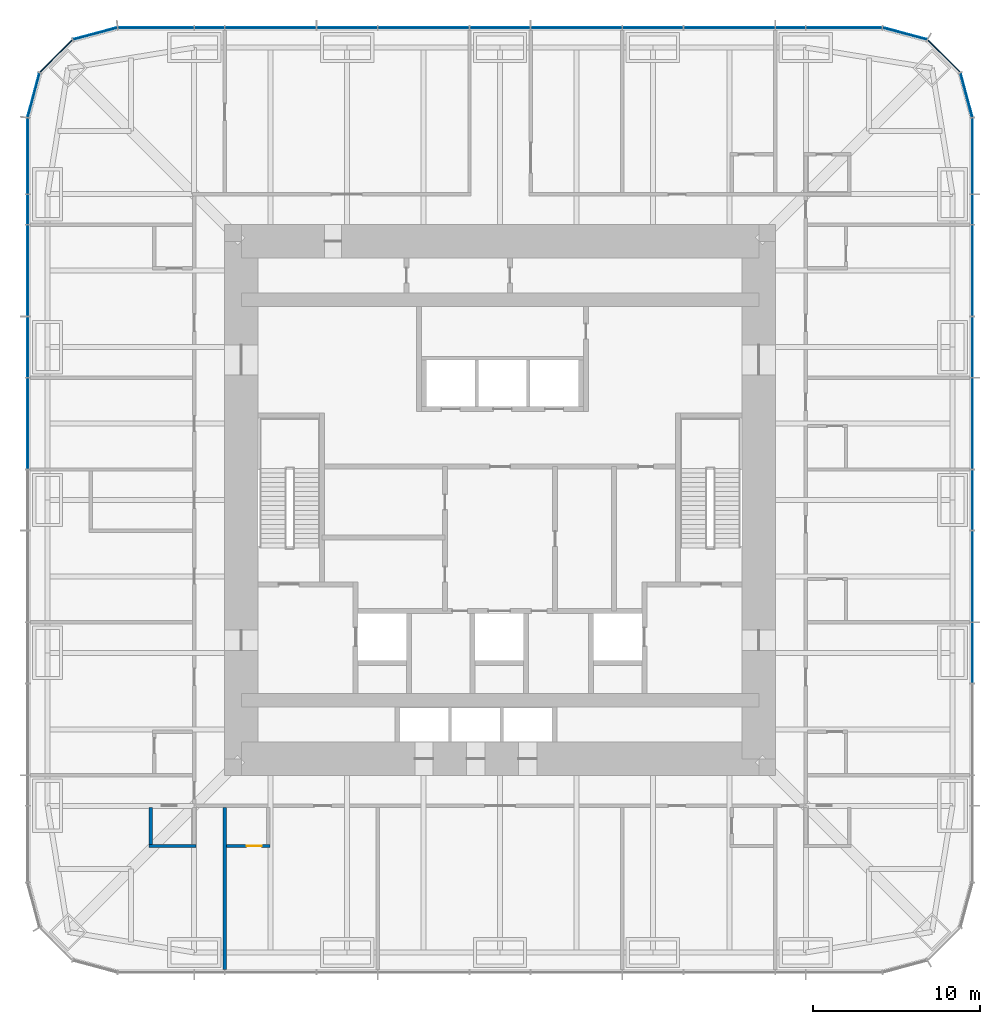
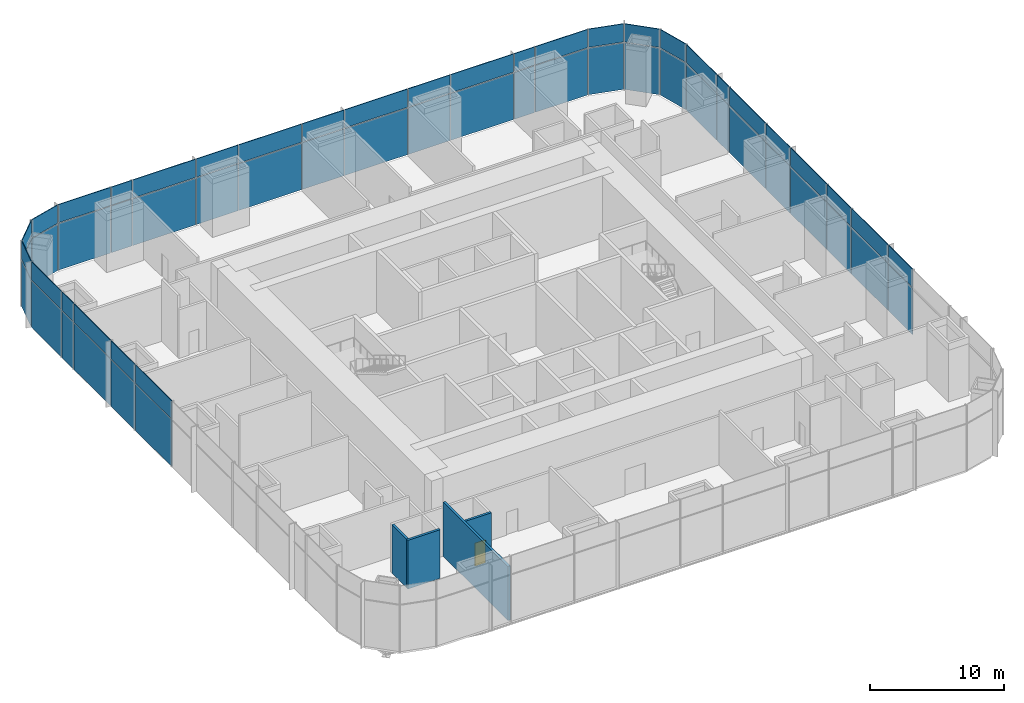
# One storey, part 7 of 12: 60 plates, 4 walls, 1 door, 1 opening, 5 elements without a shape of their own.
"""IFC4 building model written with IfcOpenShell, lengths in metres."""

from ifc_helpers import new_model, si_unit, direction, frame, frame_2d, origin, origin_2d, place, context, subcontext, project, spatial, rectangle, extrude, material, layer, layer_set, type_object, element, fill, aggregate, save


model = new_model("IFC4")

# Units and contexts
model_context = context("Model", 3, precision=1e-05, world=origin(), true_north=direction((0.0, 1.0)))
body_context = subcontext(model_context, "Body", "Model", "MODEL_VIEW")
ifc_project = project(units=[si_unit("LENGTHUNIT", "METRE"), si_unit("AREAUNIT", "SQUARE_METRE"), si_unit("VOLUMEUNIT", "CUBIC_METRE"), si_unit("PLANEANGLEUNIT", "RADIAN"), si_unit("MASSUNIT", "GRAM", prefix="KILO")], contexts=[model_context])

# Site, building, storey
site_placement = place(None, origin())
site = spatial("IfcSite", under=ifc_project, at=site_placement, CompositionType="ELEMENT")
building_placement = place(site_placement, origin())
building = spatial("IfcBuilding", under=site, at=building_placement, Name="Khuree Lantern Residences", CompositionType="ELEMENT")
storey_placement = place(building_placement, frame((0.0, 0.0, 186.0)))
storey = spatial("IfcBuildingStorey", under=building, at=storey_placement, Name="L47", CompositionType="ELEMENT", Elevation=186.0)

# Curtain wall, plates
ifc_material_1 = material(Name="Bronze anodised aluminium", Category="aluminium")
curtain_wall_type = type_object("IfcCurtainWallType", Name="CW-S SKY STOREY FULL-HEIGHT CURTAIN WALL", PredefinedType="USERDEFINED", material=ifc_material_1)
curtain_wall_1_placement = place(storey_placement, origin())
curtain_wall_1 = element("IfcCurtainWall", 1, at=curtain_wall_1_placement, inside=storey, type_object=curtain_wall_type, Name="L47 EAST FACE CURTAIN WALL", ObjectType="Full-height curtain wall", PredefinedType="USERDEFINED")
ifc_material_2 = material(Name="Bronze tinted laminated triple glazing", Category="glass")
ifc_layer_1 = layer(ifc_material_2, 0.055908203125)
ifc_layer_set_1 = layer_set([ifc_layer_1], Name="SKY VISION PANEL P7")
plate_type_1 = type_object("IfcPlateType", Name="SKY VISION PANEL P7", PredefinedType="CURTAIN_PANEL", material=ifc_layer_set_1)
plate_1_placement = place(storey_placement, frame((28.300048828125, -9.159912109375, 0.0), z_axis=(0.0, 0.0, 1.0), x_axis=(0.0, 1.0, 0.0)))
plate_1 = element("IfcPlate", 2, at=plate_1_placement, type_object=plate_type_1, Name="L47 EAST FACE PANEL 7.1", PredefinedType="CURTAIN_PANEL", context=body_context, shape_type="SweptSolid", body=[
    extrude(rectangle(XDim=3.589111328125, YDim=0.055908203125, at=origin_2d()), origin(), (0.0, 0.0, 1.0), 4.262451171875),
])
plate_2_placement = place(storey_placement, frame((28.300048828125, -4.580078125, 0.0), z_axis=(0.0, 0.0, 1.0), x_axis=(0.0, 1.0, 0.0)))
plate_2 = element("IfcPlate", 3, at=plate_2_placement, type_object=plate_type_1, Name="L47 EAST FACE PANEL 8.1", PredefinedType="CURTAIN_PANEL", context=body_context, shape_type="SweptSolid", body=[
    extrude(rectangle(XDim=5.4208984375, YDim=0.055908203125, at=origin_2d()), origin(), (0.0, 0.0, 1.0), 4.262451171875),
])
plate_3_placement = place(storey_placement, frame((28.300048828125, 0.0, 0.0), z_axis=(0.0, 0.0, 1.0), x_axis=(0.0, 1.0, 0.0)))
plate_3 = element("IfcPlate", 4, at=plate_3_placement, type_object=plate_type_1, Name="L47 EAST FACE PANEL 9.1", PredefinedType="CURTAIN_PANEL", context=body_context, shape_type="SweptSolid", body=[
    extrude(rectangle(XDim=3.589111328125, YDim=0.055908203125, at=origin_2d()), origin(), (0.0, 0.0, 1.0), 4.262451171875),
])
plate_4_placement = place(storey_placement, frame((28.300048828125, 4.580078125, 0.0), z_axis=(0.0, 0.0, 1.0), x_axis=(0.0, 1.0, 0.0)))
plate_4 = element("IfcPlate", 5, at=plate_4_placement, type_object=plate_type_1, Name="L47 EAST FACE PANEL 10.1", PredefinedType="CURTAIN_PANEL", context=body_context, shape_type="SweptSolid", body=[
    extrude(rectangle(XDim=5.4208984375, YDim=0.055908203125, at=origin_2d()), origin(), (0.0, 0.0, 1.0), 4.262451171875),
])
plate_5_placement = place(storey_placement, frame((28.300048828125, 9.159912109375, 0.0), z_axis=(0.0, 0.0, 1.0), x_axis=(0.0, 1.0, 0.0)))
plate_5 = element("IfcPlate", 6, at=plate_5_placement, type_object=plate_type_1, Name="L47 EAST FACE PANEL 11.1", PredefinedType="CURTAIN_PANEL", context=body_context, shape_type="SweptSolid", body=[
    extrude(rectangle(XDim=3.589111328125, YDim=0.055908203125, at=origin_2d()), origin(), (0.0, 0.0, 1.0), 4.262451171875),
])
plate_6_placement = place(storey_placement, frame((28.300048828125, 13.739990234375, 0.0), z_axis=(0.0, 0.0, 1.0), x_axis=(0.0, 1.0, 0.0)))
plate_6 = element("IfcPlate", 7, at=plate_6_placement, type_object=plate_type_1, Name="L47 EAST FACE PANEL 12.1", PredefinedType="CURTAIN_PANEL", context=body_context, shape_type="SweptSolid", body=[
    extrude(rectangle(XDim=5.4208984375, YDim=0.055908203125, at=origin_2d()), origin(), (0.0, 0.0, 1.0), 4.262451171875),
])
plate_7_placement = place(storey_placement, frame((28.300048828125, 17.404052734375, 0.0), z_axis=(0.0, 0.0, 1.0), x_axis=(0.0, 1.0, 0.0)))
plate_7 = element("IfcPlate", 8, at=plate_7_placement, type_object=plate_type_1, Name="L47 EAST FACE PANEL 13.1", PredefinedType="CURTAIN_PANEL", context=body_context, shape_type="SweptSolid", body=[
    extrude(rectangle(XDim=1.757080078125, YDim=0.055908203125, at=origin_2d()), origin(), (0.0, 0.0, 1.0), 4.262451171875),
])
plate_8_placement = place(storey_placement, frame((28.300048828125, 20.60791015625, 0.0), z_axis=(0.0, 0.0, 1.0), x_axis=(0.0, 1.0, 0.0)))
plate_8 = element("IfcPlate", 9, at=plate_8_placement, type_object=plate_type_1, Name="L47 EAST FACE PANEL 14.1", PredefinedType="CURTAIN_PANEL", context=body_context, shape_type="SweptSolid", body=[
    extrude(rectangle(XDim=4.5009765625, YDim=0.055908203125, at=origin_2d()), origin(), (0.0, 0.0, 1.0), 4.262451171875),
])

curtain_wall_2_placement = place(storey_placement, origin())
curtain_wall_2 = element("IfcCurtainWall", 10, at=curtain_wall_2_placement, inside=storey, type_object=curtain_wall_type, Name="L47 NORTH-EAST CORNER CURTAIN WALL", ObjectType="Full-height curtain wall", PredefinedType="USERDEFINED")
plate_9_placement = place(storey_placement, frame((27.93896484375, 24.24755859375, 0.0), z_axis=(0.0, 0.0, 1.0), x_axis=(-0.258819105321, 0.965925810153, 0.0)))
plate_9 = element("IfcPlate", 11, at=plate_9_placement, type_object=plate_type_1, Name="L47 NORTH-EAST CORNER PANEL 15.1", PredefinedType="CURTAIN_PANEL", context=body_context, shape_type="SweptSolid", body=[
    extrude(rectangle(XDim=2.70751953125, YDim=0.055908203125, at=origin_2d()), origin(), (0.0, 0.0, 1.0), 4.262451171875),
])
plate_10_placement = place(storey_placement, frame((26.58837890625, 26.58837890625, 0.0), z_axis=(0.0, 0.0, 1.0), x_axis=(-0.707106781187, 0.707106781187, 0.0)))
plate_10 = element("IfcPlate", 12, at=plate_10_placement, type_object=plate_type_1, Name="L47 NORTH-EAST CORNER PANEL 16.1", PredefinedType="CURTAIN_PANEL", context=body_context, shape_type="SweptSolid", body=[
    extrude(rectangle(XDim=2.70263671875, YDim=0.055908203125, at=origin_2d()), origin(), (0.0, 0.0, 1.0), 4.262451171875),
])
plate_11_placement = place(storey_placement, frame((24.24755859375, 27.93896484375, 0.0), z_axis=(0.0, 0.0, 1.0), x_axis=(-0.965925810153, 0.258819105321, 0.0)))
plate_11 = element("IfcPlate", 13, at=plate_11_placement, type_object=plate_type_1, Name="L47 NORTH-EAST CORNER PANEL 17.1", PredefinedType="CURTAIN_PANEL", context=body_context, shape_type="SweptSolid", body=[
    extrude(rectangle(XDim=2.70751953125, YDim=0.055908203125, at=origin_2d()), origin(), (0.0, 0.0, 1.0), 4.262451171875),
])

curtain_wall_3_placement = place(storey_placement, origin())
curtain_wall_3 = element("IfcCurtainWall", 14, at=curtain_wall_3_placement, inside=storey, type_object=curtain_wall_type, Name="L47 NORTH FACE CURTAIN WALL", ObjectType="Full-height curtain wall", PredefinedType="USERDEFINED")
plate_12_placement = place(storey_placement, frame((20.60791015625, 28.300048828125, 0.0), z_axis=(0.0, 0.0, 1.0), x_axis=(-1.0, 0.0, 0.0)))
plate_12 = element("IfcPlate", 15, at=plate_12_placement, type_object=plate_type_1, Name="L47 NORTH FACE PANEL 18.1", PredefinedType="CURTAIN_PANEL", context=body_context, shape_type="SweptSolid", body=[
    extrude(rectangle(XDim=4.5009765625, YDim=0.055908203125, at=origin_2d()), origin(), (0.0, 0.0, 1.0), 4.262451171875),
])
plate_13_placement = place(storey_placement, frame((17.404052734375, 28.300048828125, 0.0), z_axis=(0.0, 0.0, 1.0), x_axis=(-1.0, 0.0, 0.0)))
plate_13 = element("IfcPlate", 16, at=plate_13_placement, type_object=plate_type_1, Name="L47 NORTH FACE PANEL 19.1", PredefinedType="CURTAIN_PANEL", context=body_context, shape_type="SweptSolid", body=[
    extrude(rectangle(XDim=1.757080078125, YDim=0.055908203125, at=origin_2d()), origin(), (0.0, 0.0, 1.0), 4.262451171875),
])
plate_14_placement = place(storey_placement, frame((13.739990234375, 28.300048828125, 0.0), z_axis=(0.0, 0.0, 1.0), x_axis=(-1.0, 0.0, 0.0)))
plate_14 = element("IfcPlate", 17, at=plate_14_placement, type_object=plate_type_1, Name="L47 NORTH FACE PANEL 20.1", PredefinedType="CURTAIN_PANEL", context=body_context, shape_type="SweptSolid", body=[
    extrude(rectangle(XDim=5.4208984375, YDim=0.055908203125, at=origin_2d()), origin(), (0.0, 0.0, 1.0), 4.262451171875),
])
plate_15_placement = place(storey_placement, frame((9.159912109375, 28.300048828125, 0.0), z_axis=(0.0, 0.0, 1.0), x_axis=(-1.0, 0.0, 0.0)))
plate_15 = element("IfcPlate", 18, at=plate_15_placement, type_object=plate_type_1, Name="L47 NORTH FACE PANEL 21.1", PredefinedType="CURTAIN_PANEL", context=body_context, shape_type="SweptSolid", body=[
    extrude(rectangle(XDim=3.589111328125, YDim=0.055908203125, at=origin_2d()), origin(), (0.0, 0.0, 1.0), 4.262451171875),
])
plate_16_placement = place(storey_placement, frame((4.580078125, 28.300048828125, 0.0), z_axis=(0.0, 0.0, 1.0), x_axis=(-1.0, 0.0, 0.0)))
plate_16 = element("IfcPlate", 19, at=plate_16_placement, type_object=plate_type_1, Name="L47 NORTH FACE PANEL 22.1", PredefinedType="CURTAIN_PANEL", context=body_context, shape_type="SweptSolid", body=[
    extrude(rectangle(XDim=5.4208984375, YDim=0.055908203125, at=origin_2d()), origin(), (0.0, 0.0, 1.0), 4.262451171875),
])
plate_17_placement = place(storey_placement, frame((0.0, 28.300048828125, 0.0), z_axis=(0.0, 0.0, 1.0), x_axis=(-1.0, 0.0, 0.0)))
plate_17 = element("IfcPlate", 20, at=plate_17_placement, type_object=plate_type_1, Name="L47 NORTH FACE PANEL 23.1", PredefinedType="CURTAIN_PANEL", context=body_context, shape_type="SweptSolid", body=[
    extrude(rectangle(XDim=3.589111328125, YDim=0.055908203125, at=origin_2d()), origin(), (0.0, 0.0, 1.0), 4.262451171875),
])
plate_18_placement = place(storey_placement, frame((-4.580078125, 28.300048828125, 0.0), z_axis=(0.0, 0.0, 1.0), x_axis=(-1.0, 0.0, 0.0)))
plate_18 = element("IfcPlate", 21, at=plate_18_placement, type_object=plate_type_1, Name="L47 NORTH FACE PANEL 24.1", PredefinedType="CURTAIN_PANEL", context=body_context, shape_type="SweptSolid", body=[
    extrude(rectangle(XDim=5.4208984375, YDim=0.055908203125, at=origin_2d()), origin(), (0.0, 0.0, 1.0), 4.262451171875),
])
plate_19_placement = place(storey_placement, frame((-9.159912109375, 28.300048828125, 0.0), z_axis=(0.0, 0.0, 1.0), x_axis=(-1.0, 0.0, 0.0)))
plate_19 = element("IfcPlate", 22, at=plate_19_placement, type_object=plate_type_1, Name="L47 NORTH FACE PANEL 25.1", PredefinedType="CURTAIN_PANEL", context=body_context, shape_type="SweptSolid", body=[
    extrude(rectangle(XDim=3.589111328125, YDim=0.055908203125, at=origin_2d()), origin(), (0.0, 0.0, 1.0), 4.262451171875),
])
plate_20_placement = place(storey_placement, frame((-13.739990234375, 28.300048828125, 0.0), z_axis=(0.0, 0.0, 1.0), x_axis=(-1.0, 0.0, 0.0)))
plate_20 = element("IfcPlate", 23, at=plate_20_placement, type_object=plate_type_1, Name="L47 NORTH FACE PANEL 26.1", PredefinedType="CURTAIN_PANEL", context=body_context, shape_type="SweptSolid", body=[
    extrude(rectangle(XDim=5.4208984375, YDim=0.055908203125, at=origin_2d()), origin(), (0.0, 0.0, 1.0), 4.262451171875),
])
plate_21_placement = place(storey_placement, frame((-17.404052734375, 28.300048828125, 0.0), z_axis=(0.0, 0.0, 1.0), x_axis=(-1.0, 0.0, 0.0)))
plate_21 = element("IfcPlate", 24, at=plate_21_placement, type_object=plate_type_1, Name="L47 NORTH FACE PANEL 27.1", PredefinedType="CURTAIN_PANEL", context=body_context, shape_type="SweptSolid", body=[
    extrude(rectangle(XDim=1.757080078125, YDim=0.055908203125, at=origin_2d()), origin(), (0.0, 0.0, 1.0), 4.262451171875),
])
plate_22_placement = place(storey_placement, frame((-20.60791015625, 28.300048828125, 0.0), z_axis=(0.0, 0.0, 1.0), x_axis=(-1.0, 0.0, 0.0)))
plate_22 = element("IfcPlate", 25, at=plate_22_placement, type_object=plate_type_1, Name="L47 NORTH FACE PANEL 28.1", PredefinedType="CURTAIN_PANEL", context=body_context, shape_type="SweptSolid", body=[
    extrude(rectangle(XDim=4.5009765625, YDim=0.055908203125, at=origin_2d()), origin(), (0.0, 0.0, 1.0), 4.262451171875),
])

curtain_wall_4_placement = place(storey_placement, origin())
curtain_wall_4 = element("IfcCurtainWall", 26, at=curtain_wall_4_placement, inside=storey, type_object=curtain_wall_type, Name="L47 NORTH-WEST CORNER CURTAIN WALL", ObjectType="Full-height curtain wall", PredefinedType="USERDEFINED")
plate_23_placement = place(storey_placement, frame((-24.24755859375, 27.93896484375, 0.0), z_axis=(0.0, 0.0, 1.0), x_axis=(-0.965925810153, -0.258819105321, 0.0)))
plate_23 = element("IfcPlate", 27, at=plate_23_placement, type_object=plate_type_1, Name="L47 NORTH-WEST CORNER PANEL 29.1", PredefinedType="CURTAIN_PANEL", context=body_context, shape_type="SweptSolid", body=[
    extrude(rectangle(XDim=2.70751953125, YDim=0.055908203125, at=origin_2d()), origin(), (0.0, 0.0, 1.0), 4.262451171875),
])
plate_24_placement = place(storey_placement, frame((-26.58837890625, 26.58837890625, 0.0), z_axis=(0.0, 0.0, 1.0), x_axis=(-0.707106781187, -0.707106781187, 0.0)))
plate_24 = element("IfcPlate", 28, at=plate_24_placement, type_object=plate_type_1, Name="L47 NORTH-WEST CORNER PANEL 30.1", PredefinedType="CURTAIN_PANEL", context=body_context, shape_type="SweptSolid", body=[
    extrude(rectangle(XDim=2.70263671875, YDim=0.055908203125, at=origin_2d()), origin(), (0.0, 0.0, 1.0), 4.262451171875),
])
plate_25_placement = place(storey_placement, frame((-27.93896484375, 24.24755859375, 0.0), z_axis=(0.0, 0.0, 1.0), x_axis=(-0.258819105321, -0.965925810153, 0.0)))
plate_25 = element("IfcPlate", 29, at=plate_25_placement, type_object=plate_type_1, Name="L47 NORTH-WEST CORNER PANEL 31.1", PredefinedType="CURTAIN_PANEL", context=body_context, shape_type="SweptSolid", body=[
    extrude(rectangle(XDim=2.70751953125, YDim=0.055908203125, at=origin_2d()), origin(), (0.0, 0.0, 1.0), 4.262451171875),
])

curtain_wall_5_placement = place(storey_placement, origin())
curtain_wall_5 = element("IfcCurtainWall", 30, at=curtain_wall_5_placement, inside=storey, type_object=curtain_wall_type, Name="L47 WEST FACE CURTAIN WALL", ObjectType="Full-height curtain wall", PredefinedType="USERDEFINED")
plate_26_placement = place(storey_placement, frame((-28.300048828125, 20.60791015625, 0.0), z_axis=(0.0, 0.0, 1.0), x_axis=(0.0, -1.0, 0.0)))
plate_26 = element("IfcPlate", 31, at=plate_26_placement, type_object=plate_type_1, Name="L47 WEST FACE PANEL 32.1", PredefinedType="CURTAIN_PANEL", context=body_context, shape_type="SweptSolid", body=[
    extrude(rectangle(XDim=4.5009765625, YDim=0.055908203125, at=origin_2d()), origin(), (0.0, 0.0, 1.0), 4.262451171875),
])
plate_27_placement = place(storey_placement, frame((-28.300048828125, 17.404052734375, 0.0), z_axis=(0.0, 0.0, 1.0), x_axis=(0.0, -1.0, 0.0)))
plate_27 = element("IfcPlate", 32, at=plate_27_placement, type_object=plate_type_1, Name="L47 WEST FACE PANEL 33.1", PredefinedType="CURTAIN_PANEL", context=body_context, shape_type="SweptSolid", body=[
    extrude(rectangle(XDim=1.757080078125, YDim=0.055908203125, at=origin_2d()), origin(), (0.0, 0.0, 1.0), 4.262451171875),
])
plate_28_placement = place(storey_placement, frame((-28.300048828125, 13.739990234375, 0.0), z_axis=(0.0, 0.0, 1.0), x_axis=(0.0, -1.0, 0.0)))
plate_28 = element("IfcPlate", 33, at=plate_28_placement, type_object=plate_type_1, Name="L47 WEST FACE PANEL 34.1", PredefinedType="CURTAIN_PANEL", context=body_context, shape_type="SweptSolid", body=[
    extrude(rectangle(XDim=5.4208984375, YDim=0.055908203125, at=origin_2d()), origin(), (0.0, 0.0, 1.0), 4.262451171875),
])
plate_29_placement = place(storey_placement, frame((-28.300048828125, 9.159912109375, 0.0), z_axis=(0.0, 0.0, 1.0), x_axis=(0.0, -1.0, 0.0)))
plate_29 = element("IfcPlate", 34, at=plate_29_placement, type_object=plate_type_1, Name="L47 WEST FACE PANEL 35.1", PredefinedType="CURTAIN_PANEL", context=body_context, shape_type="SweptSolid", body=[
    extrude(rectangle(XDim=3.589111328125, YDim=0.055908203125, at=origin_2d()), origin(), (0.0, 0.0, 1.0), 4.262451171875),
])
plate_30_placement = place(storey_placement, frame((-28.300048828125, 4.580078125, 0.0), z_axis=(0.0, 0.0, 1.0), x_axis=(0.0, -1.0, 0.0)))
plate_30 = element("IfcPlate", 35, at=plate_30_placement, type_object=plate_type_1, Name="L47 WEST FACE PANEL 36.1", PredefinedType="CURTAIN_PANEL", context=body_context, shape_type="SweptSolid", body=[
    extrude(rectangle(XDim=5.4208984375, YDim=0.055908203125, at=origin_2d()), origin(), (0.0, 0.0, 1.0), 4.262451171875),
])

# Plate
ifc_material_3 = material(Name="Bronze anodised aluminium insulated spandrel", Category="aluminium")
ifc_layer_2 = layer(ifc_material_3, 0.06005859375)
ifc_layer_set_2 = layer_set([ifc_layer_2], Name="SPANDREL PANEL P2")
plate_type_2 = type_object("IfcPlateType", Name="SPANDREL PANEL P2", PredefinedType="CURTAIN_PANEL", material=ifc_layer_set_2)
plate_31_placement = place(storey_placement, frame((28.300048828125, -9.159912109375, 4.33740234375), z_axis=(0.0, 0.0, 1.0), x_axis=(0.0, 1.0, 0.0)))
plate_31 = element("IfcPlate", 36, at=plate_31_placement, type_object=plate_type_2, Name="L47 EAST FACE PANEL 7.2", PredefinedType="CURTAIN_PANEL", context=body_context, shape_type="SweptSolid", body=[
    extrude(rectangle(XDim=3.589111328125, YDim=0.06005859375, at=origin_2d()), origin(), (0.0, 0.0, 1.0), 1.66259765625),
])

plate_32_placement = place(storey_placement, frame((28.300048828125, -4.580078125, 4.33740234375), z_axis=(0.0, 0.0, 1.0), x_axis=(0.0, 1.0, 0.0)))
plate_32 = element("IfcPlate", 37, at=plate_32_placement, type_object=plate_type_2, Name="L47 EAST FACE PANEL 8.2", PredefinedType="CURTAIN_PANEL", context=body_context, shape_type="SweptSolid", body=[
    extrude(rectangle(XDim=5.4208984375, YDim=0.06005859375, at=origin_2d()), origin(), (0.0, 0.0, 1.0), 1.66259765625),
])

plate_33_placement = place(storey_placement, frame((28.300048828125, 0.0, 4.33740234375), z_axis=(0.0, 0.0, 1.0), x_axis=(0.0, 1.0, 0.0)))
plate_33 = element("IfcPlate", 38, at=plate_33_placement, type_object=plate_type_2, Name="L47 EAST FACE PANEL 9.2", PredefinedType="CURTAIN_PANEL", context=body_context, shape_type="SweptSolid", body=[
    extrude(rectangle(XDim=3.589111328125, YDim=0.06005859375, at=origin_2d()), origin(), (0.0, 0.0, 1.0), 1.66259765625),
])

plate_34_placement = place(storey_placement, frame((28.300048828125, 4.580078125, 4.33740234375), z_axis=(0.0, 0.0, 1.0), x_axis=(0.0, 1.0, 0.0)))
plate_34 = element("IfcPlate", 39, at=plate_34_placement, type_object=plate_type_2, Name="L47 EAST FACE PANEL 10.2", PredefinedType="CURTAIN_PANEL", context=body_context, shape_type="SweptSolid", body=[
    extrude(rectangle(XDim=5.4208984375, YDim=0.06005859375, at=origin_2d()), origin(), (0.0, 0.0, 1.0), 1.66259765625),
])

plate_35_placement = place(storey_placement, frame((28.300048828125, 9.159912109375, 4.33740234375), z_axis=(0.0, 0.0, 1.0), x_axis=(0.0, 1.0, 0.0)))
plate_35 = element("IfcPlate", 40, at=plate_35_placement, type_object=plate_type_2, Name="L47 EAST FACE PANEL 11.2", PredefinedType="CURTAIN_PANEL", context=body_context, shape_type="SweptSolid", body=[
    extrude(rectangle(XDim=3.589111328125, YDim=0.06005859375, at=origin_2d()), origin(), (0.0, 0.0, 1.0), 1.66259765625),
])

plate_36_placement = place(storey_placement, frame((28.300048828125, 13.739990234375, 4.33740234375), z_axis=(0.0, 0.0, 1.0), x_axis=(0.0, 1.0, 0.0)))
plate_36 = element("IfcPlate", 41, at=plate_36_placement, type_object=plate_type_2, Name="L47 EAST FACE PANEL 12.2", PredefinedType="CURTAIN_PANEL", context=body_context, shape_type="SweptSolid", body=[
    extrude(rectangle(XDim=5.4208984375, YDim=0.06005859375, at=origin_2d()), origin(), (0.0, 0.0, 1.0), 1.66259765625),
])

plate_37_placement = place(storey_placement, frame((28.300048828125, 17.404052734375, 4.33740234375), z_axis=(0.0, 0.0, 1.0), x_axis=(0.0, 1.0, 0.0)))
plate_37 = element("IfcPlate", 42, at=plate_37_placement, type_object=plate_type_2, Name="L47 EAST FACE PANEL 13.2", PredefinedType="CURTAIN_PANEL", context=body_context, shape_type="SweptSolid", body=[
    extrude(rectangle(XDim=1.757080078125, YDim=0.06005859375, at=origin_2d()), origin(), (0.0, 0.0, 1.0), 1.66259765625),
])

plate_38_placement = place(storey_placement, frame((28.300048828125, 20.60791015625, 4.33740234375), z_axis=(0.0, 0.0, 1.0), x_axis=(0.0, 1.0, 0.0)))
plate_38 = element("IfcPlate", 43, at=plate_38_placement, type_object=plate_type_2, Name="L47 EAST FACE PANEL 14.2", PredefinedType="CURTAIN_PANEL", context=body_context, shape_type="SweptSolid", body=[
    extrude(rectangle(XDim=4.500732421875, YDim=0.06005859375, at=origin_2d()), origin(), (0.0, 0.0, 1.0), 1.66259765625),
])

aggregate(curtain_wall_1, [plate_1, plate_31, plate_2, plate_32, plate_3, plate_33, plate_4, plate_34, plate_5, plate_35, plate_6, plate_36, plate_7, plate_37, plate_8, plate_38])

plate_39_placement = place(storey_placement, frame((27.93896484375, 24.24755859375, 4.33740234375), z_axis=(0.0, 0.0, 1.0), x_axis=(-0.258819105321, 0.965925810153, 0.0)))
plate_39 = element("IfcPlate", 44, at=plate_39_placement, type_object=plate_type_2, Name="L47 NORTH-EAST CORNER PANEL 15.2", PredefinedType="CURTAIN_PANEL", context=body_context, shape_type="SweptSolid", body=[
    extrude(rectangle(XDim=2.70654296875, YDim=0.06005859375, at=origin_2d()), origin(), (0.0, 0.0, 1.0), 1.66259765625),
])

plate_40_placement = place(storey_placement, frame((26.58837890625, 26.58837890625, 4.33740234375), z_axis=(0.0, 0.0, 1.0), x_axis=(-0.707106781187, 0.707106781187, 0.0)))
plate_40 = element("IfcPlate", 45, at=plate_40_placement, type_object=plate_type_2, Name="L47 NORTH-EAST CORNER PANEL 16.2", PredefinedType="CURTAIN_PANEL", context=body_context, shape_type="SweptSolid", body=[
    extrude(rectangle(XDim=2.701416015625, YDim=0.06005859375, at=origin_2d()), origin(), (0.0, 0.0, 1.0), 1.66259765625),
])

plate_41_placement = place(storey_placement, frame((24.24755859375, 27.93896484375, 4.33740234375), z_axis=(0.0, 0.0, 1.0), x_axis=(-0.965925810153, 0.258819105321, 0.0)))
plate_41 = element("IfcPlate", 46, at=plate_41_placement, type_object=plate_type_2, Name="L47 NORTH-EAST CORNER PANEL 17.2", PredefinedType="CURTAIN_PANEL", context=body_context, shape_type="SweptSolid", body=[
    extrude(rectangle(XDim=2.70654296875, YDim=0.06005859375, at=origin_2d()), origin(), (0.0, 0.0, 1.0), 1.66259765625),
])

aggregate(curtain_wall_2, [plate_9, plate_39, plate_10, plate_40, plate_11, plate_41])

plate_42_placement = place(storey_placement, frame((20.60791015625, 28.300048828125, 4.33740234375), z_axis=(0.0, 0.0, 1.0), x_axis=(-1.0, 0.0, 0.0)))
plate_42 = element("IfcPlate", 47, at=plate_42_placement, type_object=plate_type_2, Name="L47 NORTH FACE PANEL 18.2", PredefinedType="CURTAIN_PANEL", context=body_context, shape_type="SweptSolid", body=[
    extrude(rectangle(XDim=4.500732421875, YDim=0.06005859375, at=origin_2d()), origin(), (0.0, 0.0, 1.0), 1.66259765625),
])

plate_43_placement = place(storey_placement, frame((17.404052734375, 28.300048828125, 4.33740234375), z_axis=(0.0, 0.0, 1.0), x_axis=(-1.0, 0.0, 0.0)))
plate_43 = element("IfcPlate", 48, at=plate_43_placement, type_object=plate_type_2, Name="L47 NORTH FACE PANEL 19.2", PredefinedType="CURTAIN_PANEL", context=body_context, shape_type="SweptSolid", body=[
    extrude(rectangle(XDim=1.757080078125, YDim=0.06005859375, at=origin_2d()), origin(), (0.0, 0.0, 1.0), 1.66259765625),
])

plate_44_placement = place(storey_placement, frame((13.739990234375, 28.300048828125, 4.33740234375), z_axis=(0.0, 0.0, 1.0), x_axis=(-1.0, 0.0, 0.0)))
plate_44 = element("IfcPlate", 49, at=plate_44_placement, type_object=plate_type_2, Name="L47 NORTH FACE PANEL 20.2", PredefinedType="CURTAIN_PANEL", context=body_context, shape_type="SweptSolid", body=[
    extrude(rectangle(XDim=5.4208984375, YDim=0.06005859375, at=origin_2d()), origin(), (0.0, 0.0, 1.0), 1.66259765625),
])

plate_45_placement = place(storey_placement, frame((9.159912109375, 28.300048828125, 4.33740234375), z_axis=(0.0, 0.0, 1.0), x_axis=(-1.0, 0.0, 0.0)))
plate_45 = element("IfcPlate", 50, at=plate_45_placement, type_object=plate_type_2, Name="L47 NORTH FACE PANEL 21.2", PredefinedType="CURTAIN_PANEL", context=body_context, shape_type="SweptSolid", body=[
    extrude(rectangle(XDim=3.589111328125, YDim=0.06005859375, at=origin_2d()), origin(), (0.0, 0.0, 1.0), 1.66259765625),
])

plate_46_placement = place(storey_placement, frame((4.580078125, 28.300048828125, 4.33740234375), z_axis=(0.0, 0.0, 1.0), x_axis=(-1.0, 0.0, 0.0)))
plate_46 = element("IfcPlate", 51, at=plate_46_placement, type_object=plate_type_2, Name="L47 NORTH FACE PANEL 22.2", PredefinedType="CURTAIN_PANEL", context=body_context, shape_type="SweptSolid", body=[
    extrude(rectangle(XDim=5.4208984375, YDim=0.06005859375, at=origin_2d()), origin(), (0.0, 0.0, 1.0), 1.66259765625),
])

plate_47_placement = place(storey_placement, frame((0.0, 28.300048828125, 4.33740234375), z_axis=(0.0, 0.0, 1.0), x_axis=(-1.0, 0.0, 0.0)))
plate_47 = element("IfcPlate", 52, at=plate_47_placement, type_object=plate_type_2, Name="L47 NORTH FACE PANEL 23.2", PredefinedType="CURTAIN_PANEL", context=body_context, shape_type="SweptSolid", body=[
    extrude(rectangle(XDim=3.589111328125, YDim=0.06005859375, at=origin_2d()), origin(), (0.0, 0.0, 1.0), 1.66259765625),
])

plate_48_placement = place(storey_placement, frame((-4.580078125, 28.300048828125, 4.33740234375), z_axis=(0.0, 0.0, 1.0), x_axis=(-1.0, 0.0, 0.0)))
plate_48 = element("IfcPlate", 53, at=plate_48_placement, type_object=plate_type_2, Name="L47 NORTH FACE PANEL 24.2", PredefinedType="CURTAIN_PANEL", context=body_context, shape_type="SweptSolid", body=[
    extrude(rectangle(XDim=5.4208984375, YDim=0.06005859375, at=origin_2d()), origin(), (0.0, 0.0, 1.0), 1.66259765625),
])

plate_49_placement = place(storey_placement, frame((-9.159912109375, 28.300048828125, 4.33740234375), z_axis=(0.0, 0.0, 1.0), x_axis=(-1.0, 0.0, 0.0)))
plate_49 = element("IfcPlate", 54, at=plate_49_placement, type_object=plate_type_2, Name="L47 NORTH FACE PANEL 25.2", PredefinedType="CURTAIN_PANEL", context=body_context, shape_type="SweptSolid", body=[
    extrude(rectangle(XDim=3.589111328125, YDim=0.06005859375, at=origin_2d()), origin(), (0.0, 0.0, 1.0), 1.66259765625),
])

plate_50_placement = place(storey_placement, frame((-13.739990234375, 28.300048828125, 4.33740234375), z_axis=(0.0, 0.0, 1.0), x_axis=(-1.0, 0.0, 0.0)))
plate_50 = element("IfcPlate", 55, at=plate_50_placement, type_object=plate_type_2, Name="L47 NORTH FACE PANEL 26.2", PredefinedType="CURTAIN_PANEL", context=body_context, shape_type="SweptSolid", body=[
    extrude(rectangle(XDim=5.4208984375, YDim=0.06005859375, at=origin_2d()), origin(), (0.0, 0.0, 1.0), 1.66259765625),
])

plate_51_placement = place(storey_placement, frame((-17.404052734375, 28.300048828125, 4.33740234375), z_axis=(0.0, 0.0, 1.0), x_axis=(-1.0, 0.0, 0.0)))
plate_51 = element("IfcPlate", 56, at=plate_51_placement, type_object=plate_type_2, Name="L47 NORTH FACE PANEL 27.2", PredefinedType="CURTAIN_PANEL", context=body_context, shape_type="SweptSolid", body=[
    extrude(rectangle(XDim=1.757080078125, YDim=0.06005859375, at=origin_2d()), origin(), (0.0, 0.0, 1.0), 1.66259765625),
])

plate_52_placement = place(storey_placement, frame((-20.60791015625, 28.300048828125, 4.33740234375), z_axis=(0.0, 0.0, 1.0), x_axis=(-1.0, 0.0, 0.0)))
plate_52 = element("IfcPlate", 57, at=plate_52_placement, type_object=plate_type_2, Name="L47 NORTH FACE PANEL 28.2", PredefinedType="CURTAIN_PANEL", context=body_context, shape_type="SweptSolid", body=[
    extrude(rectangle(XDim=4.500732421875, YDim=0.06005859375, at=origin_2d()), origin(), (0.0, 0.0, 1.0), 1.66259765625),
])

aggregate(curtain_wall_3, [plate_12, plate_42, plate_13, plate_43, plate_14, plate_44, plate_15, plate_45, plate_16, plate_46, plate_17, plate_47, plate_18, plate_48, plate_19, plate_49, plate_20, plate_50, plate_21, plate_51, plate_22, plate_52])

plate_53_placement = place(storey_placement, frame((-24.24755859375, 27.93896484375, 4.33740234375), z_axis=(0.0, 0.0, 1.0), x_axis=(-0.965925810153, -0.258819105321, 0.0)))
plate_53 = element("IfcPlate", 58, at=plate_53_placement, type_object=plate_type_2, Name="L47 NORTH-WEST CORNER PANEL 29.2", PredefinedType="CURTAIN_PANEL", context=body_context, shape_type="SweptSolid", body=[
    extrude(rectangle(XDim=2.70654296875, YDim=0.06005859375, at=origin_2d()), origin(), (0.0, 0.0, 1.0), 1.66259765625),
])

plate_54_placement = place(storey_placement, frame((-26.58837890625, 26.58837890625, 4.33740234375), z_axis=(0.0, 0.0, 1.0), x_axis=(-0.707106781187, -0.707106781187, 0.0)))
plate_54 = element("IfcPlate", 59, at=plate_54_placement, type_object=plate_type_2, Name="L47 NORTH-WEST CORNER PANEL 30.2", PredefinedType="CURTAIN_PANEL", context=body_context, shape_type="SweptSolid", body=[
    extrude(rectangle(XDim=2.701416015625, YDim=0.06005859375, at=origin_2d()), origin(), (0.0, 0.0, 1.0), 1.66259765625),
])

plate_55_placement = place(storey_placement, frame((-27.93896484375, 24.24755859375, 4.33740234375), z_axis=(0.0, 0.0, 1.0), x_axis=(-0.258819105321, -0.965925810153, 0.0)))
plate_55 = element("IfcPlate", 60, at=plate_55_placement, type_object=plate_type_2, Name="L47 NORTH-WEST CORNER PANEL 31.2", PredefinedType="CURTAIN_PANEL", context=body_context, shape_type="SweptSolid", body=[
    extrude(rectangle(XDim=2.70654296875, YDim=0.06005859375, at=origin_2d()), origin(), (0.0, 0.0, 1.0), 1.66259765625),
])

aggregate(curtain_wall_4, [plate_23, plate_53, plate_24, plate_54, plate_25, plate_55])

plate_56_placement = place(storey_placement, frame((-28.300048828125, 20.60791015625, 4.33740234375), z_axis=(0.0, 0.0, 1.0), x_axis=(0.0, -1.0, 0.0)))
plate_56 = element("IfcPlate", 61, at=plate_56_placement, type_object=plate_type_2, Name="L47 WEST FACE PANEL 32.2", PredefinedType="CURTAIN_PANEL", context=body_context, shape_type="SweptSolid", body=[
    extrude(rectangle(XDim=4.500732421875, YDim=0.06005859375, at=origin_2d()), origin(), (0.0, 0.0, 1.0), 1.66259765625),
])

plate_57_placement = place(storey_placement, frame((-28.300048828125, 17.404052734375, 4.33740234375), z_axis=(0.0, 0.0, 1.0), x_axis=(0.0, -1.0, 0.0)))
plate_57 = element("IfcPlate", 62, at=plate_57_placement, type_object=plate_type_2, Name="L47 WEST FACE PANEL 33.2", PredefinedType="CURTAIN_PANEL", context=body_context, shape_type="SweptSolid", body=[
    extrude(rectangle(XDim=1.757080078125, YDim=0.06005859375, at=origin_2d()), origin(), (0.0, 0.0, 1.0), 1.66259765625),
])

plate_58_placement = place(storey_placement, frame((-28.300048828125, 13.739990234375, 4.33740234375), z_axis=(0.0, 0.0, 1.0), x_axis=(0.0, -1.0, 0.0)))
plate_58 = element("IfcPlate", 63, at=plate_58_placement, type_object=plate_type_2, Name="L47 WEST FACE PANEL 34.2", PredefinedType="CURTAIN_PANEL", context=body_context, shape_type="SweptSolid", body=[
    extrude(rectangle(XDim=5.4208984375, YDim=0.06005859375, at=origin_2d()), origin(), (0.0, 0.0, 1.0), 1.66259765625),
])

plate_59_placement = place(storey_placement, frame((-28.300048828125, 9.159912109375, 4.33740234375), z_axis=(0.0, 0.0, 1.0), x_axis=(0.0, -1.0, 0.0)))
plate_59 = element("IfcPlate", 64, at=plate_59_placement, type_object=plate_type_2, Name="L47 WEST FACE PANEL 35.2", PredefinedType="CURTAIN_PANEL", context=body_context, shape_type="SweptSolid", body=[
    extrude(rectangle(XDim=3.589111328125, YDim=0.06005859375, at=origin_2d()), origin(), (0.0, 0.0, 1.0), 1.66259765625),
])

plate_60_placement = place(storey_placement, frame((-28.300048828125, 4.580078125, 4.33740234375), z_axis=(0.0, 0.0, 1.0), x_axis=(0.0, -1.0, 0.0)))
plate_60 = element("IfcPlate", 65, at=plate_60_placement, type_object=plate_type_2, Name="L47 WEST FACE PANEL 36.2", PredefinedType="CURTAIN_PANEL", context=body_context, shape_type="SweptSolid", body=[
    extrude(rectangle(XDim=5.4208984375, YDim=0.06005859375, at=origin_2d()), origin(), (0.0, 0.0, 1.0), 1.66259765625),
])

aggregate(curtain_wall_5, [plate_26, plate_56, plate_27, plate_57, plate_28, plate_58, plate_29, plate_59, plate_30, plate_60])

# Walls
ifc_material_4 = material(Name="Dense concrete blockwork", Category="masonry")
ifc_layer_3 = layer(ifc_material_4, 0.199951171875)
ifc_layer_set_3 = layer_set([ifc_layer_3], Name="ROOM WALL RMW200")
wall_type = type_object("IfcWallType", Name="ROOM WALL RMW200", PredefinedType="SOLIDWALL", material=ifc_layer_set_3)
wall_1_placement = place(storey_placement, frame((-16.488037109375, -28.1298828125, 0.0), z_axis=(0.0, 0.0, 1.0), x_axis=(0.0, 1.0, 0.0)))
element("IfcWall", 66, at=wall_1_placement, inside=storey, type_object=wall_type, Name="L47 ROOM WALL 1", PredefinedType="SOLIDWALL", context=body_context, shape_type="SweptSolid", body=[
    extrude(rectangle(XDim=9.7099609375, YDim=0.199951171875, at=frame_2d((4.85498046875, 0.0))), origin(), (0.0, 0.0, 1.0), 4.949951171875),
])
wall_2_placement = place(storey_placement, frame((-21.02001953125, -20.719970703125, 0.0), z_axis=(0.0, 0.0, 1.0), x_axis=(1.0, 0.0, 0.0)))
element("IfcWall", 67, at=wall_2_placement, inside=storey, type_object=wall_type, Name="L47 ROOM WALL 5", PredefinedType="SOLIDWALL", context=body_context, shape_type="SweptSolid", body=[
    extrude(rectangle(XDim=2.800048828125, YDim=0.199951171875, at=frame_2d((1.39990234375, 0.0))), origin(), (0.0, 0.0, 1.0), 4.449951171875),
])

# Wall, opening, door
wall_3_placement = place(storey_placement, frame((-16.387939453125, -20.719970703125, 0.0), z_axis=(0.0, 0.0, 1.0), x_axis=(1.0, 0.0, 0.0)))
wall_3 = element("IfcWall", 68, at=wall_3_placement, inside=storey, type_object=wall_type, Name="L47 ROOM WALL 6", PredefinedType="SOLIDWALL", context=body_context, shape_type="SweptSolid", body=[
    extrude(rectangle(XDim=2.599853515625, YDim=0.199951171875, at=frame_2d((1.2998046875, 0.0))), origin(), (0.0, 0.0, 1.0), 4.449951171875),
])
opening_placement = place(wall_3_placement, frame((1.20703125, 0.0, 0.0)))
opening = element("IfcOpeningElement", 69, at=opening_placement, cuts=wall_3, Name="Opening 47-047", PredefinedType="OPENING", context=body_context, shape_type="SweptSolid", body=[
    extrude(rectangle(XDim=0.89990234375, YDim=2.10009765625, at=frame_2d((0.449951171875, 1.050048828125))), frame((0.0, 0.10986328125, 0.0), z_axis=(0.0, -1.0, 0.0), x_axis=(1.0, 0.0, 0.0)), (0.0, 0.0, 1.0), 0.219970703125),
])
ifc_material_5 = material(Name="Timber door leaf in hardwood frame", Category="wood")
door_type = type_object("IfcDoorType", Name="WC DOOR 900X2100 RIGHT HAND", OperationType="SINGLE_SWING_RIGHT", PredefinedType="DOOR", material=ifc_material_5)
door_placement = place(opening_placement, origin())
door = element("IfcDoor", 70, at=door_placement, inside=storey, type_object=door_type, Name="En-suite bathroom door 47-047", OperationType="SINGLE_SWING_RIGHT", OverallHeight=2.10009765625, OverallWidth=0.89990234375, PredefinedType="DOOR", context=body_context, shape_type="SweptSolid", body=[
    extrude(rectangle(XDim=0.89990234375, YDim=2.10009765625, at=frame_2d((0.449951171875, 1.050048828125))), frame((0.0, 0.02490234375, 0.0), z_axis=(0.0, -1.0, 0.0), x_axis=(1.0, 0.0, 0.0)), (0.0, 0.0, 1.0), 0.050048828125),
])
fill(opening, door)

# Wall
wall_4_placement = place(storey_placement, frame((-20.919921875, -20.6201171875, 0.0), z_axis=(0.0, 0.0, 1.0), x_axis=(0.0, 1.0, 0.0)))
element("IfcWall", 71, at=wall_4_placement, inside=storey, type_object=wall_type, Name="L47 ROOM WALL 9", PredefinedType="SOLIDWALL", context=body_context, shape_type="SweptSolid", body=[
    extrude(rectangle(XDim=2.2001953125, YDim=0.199951171875, at=frame_2d((1.10009765625, 0.0))), origin(), (0.0, 0.0, 1.0), 4.449951171875),
])

save(model, "model.ifc")
